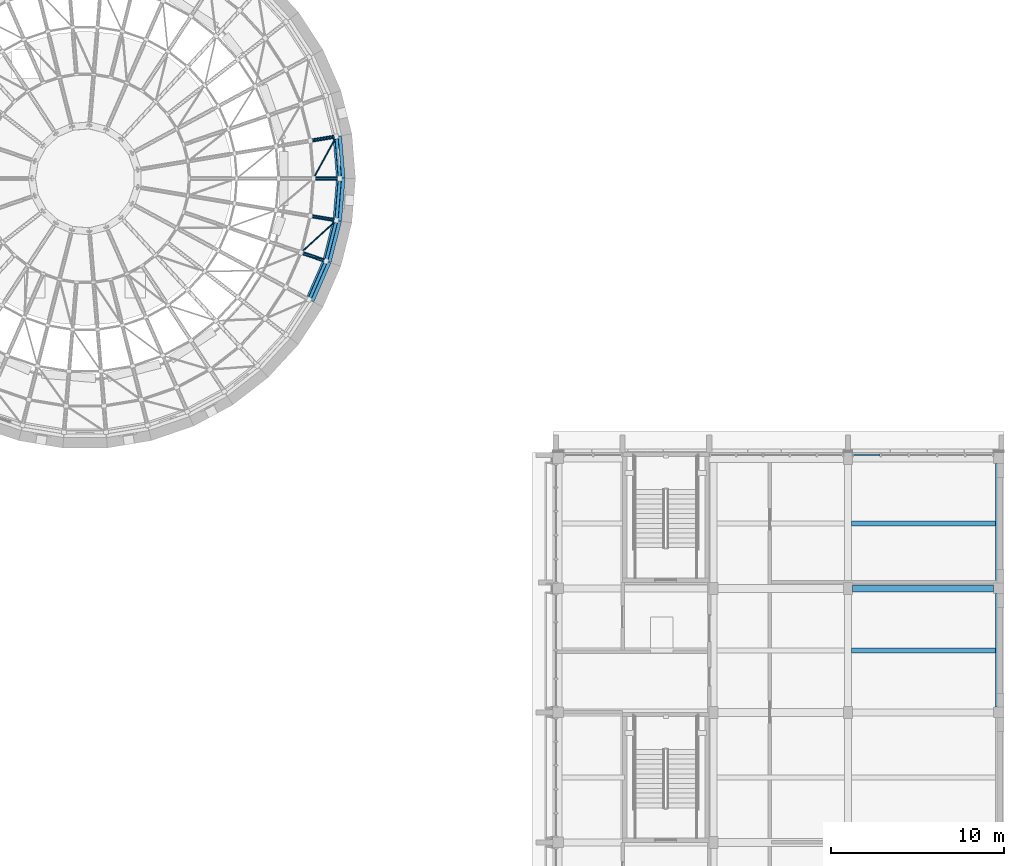
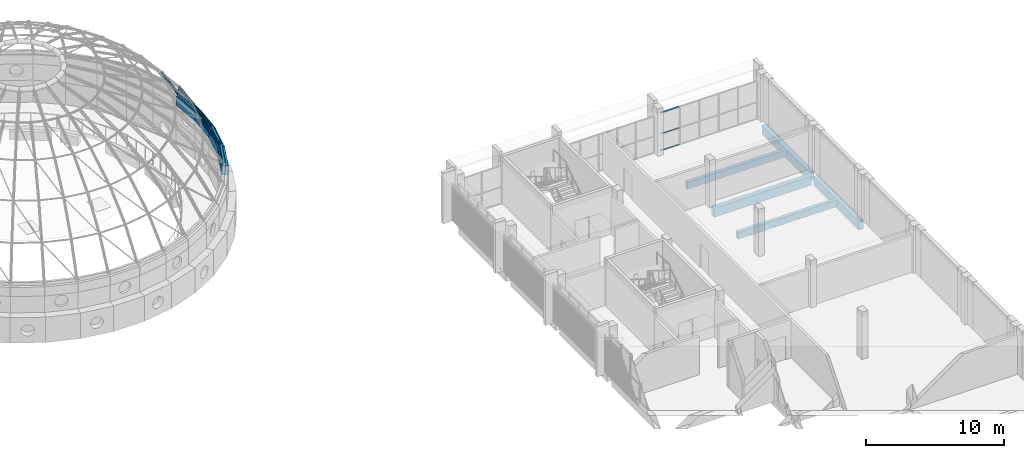
# One storey, part 38 of 98: 13 members, 9 beams, 1 element without a shape of its own.
"""IFC4 building model written with IfcOpenShell, lengths in metres."""

from ifc_helpers import new_model, si_unit, direction, frame, origin, origin_2d, place, context, subcontext, project, spatial, rectangle, hollow_rectangle, hollow_circle, extrude, material, material_profile, profile_set, type_object, element, aggregate, save


model = new_model("IFC4")

# Units and contexts
model_context = context("Model", 3, precision=1e-05, world=origin(), true_north=direction((0.0, 1.0)))
body_context = subcontext(model_context, "Body", "Model", "MODEL_VIEW")
ifc_project = project(units=[si_unit("LENGTHUNIT", "METRE"), si_unit("AREAUNIT", "SQUARE_METRE"), si_unit("VOLUMEUNIT", "CUBIC_METRE"), si_unit("PLANEANGLEUNIT", "RADIAN"), si_unit("MASSUNIT", "GRAM", prefix="KILO")], contexts=[model_context])

# Site, building, storey
site_placement = place(None, origin())
site = spatial("IfcSite", under=ifc_project, at=site_placement, CompositionType="ELEMENT")
building_placement = place(site_placement, origin())
building = spatial("IfcBuilding", under=site, at=building_placement, Name="Sun Court Science Centre", CompositionType="ELEMENT")
storey_placement = place(building_placement, frame((0.0, 0.0, 15.75)))
storey = spatial("IfcBuildingStorey", under=building, at=storey_placement, Name="L03", CompositionType="ELEMENT", Elevation=15.75)

# Curtain wall, members
ifc_material_1 = material(Name="Aluminium EN AW-6063 T6", Category="aluminium")
curtain_wall_type = type_object("IfcCurtainWallType", Name="Laboratory tall bay curtain wall 1500", PredefinedType="NOTDEFINED", material=ifc_material_1)
curtain_wall_placement = place(storey_placement, origin())
curtain_wall = element("IfcCurtainWall", 1, at=curtain_wall_placement, inside=storey, type_object=curtain_wall_type, Name="Curtain wall V4 N L03 03", PredefinedType="NOTDEFINED")
ifc_material_2 = material(Name="Aluminium EN AW-6063 T6", Category="aluminium")
ifc_material_profile_1 = material_profile(ifc_material_2, hollow_rectangle(XDim=0.06005859375, YDim=0.1201171875, WallThickness=0.00390625, InnerFilletRadius=0.00390625, OuterFilletRadius=0.006103515625, at=origin_2d()), Name="AL 60x120x4")
ifc_profile_set_1 = profile_set([ifc_material_profile_1], Name="Aluminium EN AW-6063 T6")
member_type_1 = type_object("IfcMemberType", Name="Curtain wall transom AL 60x120", PredefinedType="USERDEFINED", material=ifc_profile_set_1)
member_1_placement = place(storey_placement, frame((95.31005859375, 80.85009765625, 0.030029296875), z_axis=(1.0, 0.0, 0.0), x_axis=(0.0, 0.0, 1.0)))
member_1 = element("IfcMember", 2, at=member_1_placement, type_object=member_type_1, Name="CW2-72 transom 1.1", ObjectType="TRANSOM", PredefinedType="USERDEFINED", context=body_context, shape_type="SweptSolid", body=[
    extrude(hollow_rectangle(XDim=0.06005859375, YDim=0.1201171875, WallThickness=0.00390625, InnerFilletRadius=0.00390625, OuterFilletRadius=0.006103515625, at=origin_2d()), origin(), (0.0, 0.0, 1.0), 1.5400390625),
])
member_2_placement = place(storey_placement, frame((95.31005859375, 80.85009765625, 1.5), z_axis=(1.0, 0.0, 0.0), x_axis=(0.0, 0.0, 1.0)))
member_2 = element("IfcMember", 3, at=member_2_placement, type_object=member_type_1, Name="CW2-72 transom 1.2", ObjectType="TRANSOM", PredefinedType="USERDEFINED", context=body_context, shape_type="SweptSolid", body=[
    extrude(hollow_rectangle(XDim=0.06005859375, YDim=0.1201171875, WallThickness=0.00390625, InnerFilletRadius=0.00390625, OuterFilletRadius=0.006103515625, at=origin_2d()), origin(), (0.0, 0.0, 1.0), 1.5400390625),
])
member_3_placement = place(storey_placement, frame((95.31005859375, 80.85009765625, 3.3701171875), z_axis=(1.0, 0.0, 0.0), x_axis=(0.0, 0.0, 1.0)))
member_3 = element("IfcMember", 4, at=member_3_placement, type_object=member_type_1, Name="CW2-72 transom 1.3", ObjectType="TRANSOM", PredefinedType="USERDEFINED", context=body_context, shape_type="SweptSolid", body=[
    extrude(hollow_rectangle(XDim=0.06005859375, YDim=0.1201171875, WallThickness=0.00390625, InnerFilletRadius=0.00390625, OuterFilletRadius=0.006103515625, at=origin_2d()), origin(), (0.0, 0.0, 1.0), 1.5400390625),
])
aggregate(curtain_wall, [member_1, member_2, member_3])

# Members
ifc_material_3 = material(Name="Steel S355", Category="steel")
ifc_material_profile_2 = material_profile(ifc_material_3, hollow_circle(Radius=0.04443359375, WallThickness=0.0048828125, at=origin_2d()), Name="CHS 88.9x5")
ifc_profile_set_2 = profile_set([ifc_material_profile_2], Name="Steel S355")
member_type_2 = type_object("IfcMemberType", Name="Dome brace CHS 88.9x5", PredefinedType="BRACE", material=ifc_profile_set_2)
member_4_placement = place(storey_placement, frame((63.458251953125, 92.52294921875, 6.87353515625), z_axis=(0.545605055947, 0.496829687733, -0.674889164465), x_axis=(-0.67328475402, 0.739383283558, 0.0)))
element("IfcMember", 5, at=member_4_placement, inside=storey, type_object=member_type_2, Name="Dome brace 5.36", PredefinedType="BRACE", context=body_context, shape_type="SweptSolid", body=[
    extrude(hollow_circle(Radius=0.04443359375, WallThickness=0.0048828125, at=origin_2d()), origin(), (0.0, 0.0, 1.0), 3.739013671875),
])
member_5_placement = place(storey_placement, frame((64.172119140625, 96.800048828125, 6.87353515625), z_axis=(0.354701149174, 0.647042284089, -0.674924719784), x_axis=(-0.87688581297, 0.480698732067, 0.0)))
element("IfcMember", 6, at=member_5_placement, inside=storey, type_object=member_type_2, Name="Dome brace 5.38", PredefinedType="BRACE", context=body_context, shape_type="SweptSolid", body=[
    extrude(hollow_circle(Radius=0.04443359375, WallThickness=0.0048828125, at=origin_2d()), origin(), (0.0, 0.0, 1.0), 3.73876953125),
])
ifc_material_4 = material(Name="Steel S355", Category="steel")
ifc_material_profile_3 = material_profile(ifc_material_4, hollow_circle(Radius=0.109619140625, WallThickness=0.010009765625, at=origin_2d()), Name="CHS 219.1x10")
ifc_profile_set_3 = profile_set([ifc_material_profile_3], Name="Steel S355")
member_type_3 = type_object("IfcMemberType", Name="Dome rib CHS 219.1x10", PredefinedType="RAFTER", material=ifc_profile_set_3)
member_6_placement = place(storey_placement, frame((65.498291015625, 99.21923828125, 4.35009765625), z_axis=(-0.510579300357, -0.085179328805, 0.855601110326), x_axis=(0.164554580167, -0.986367979076, 0.0)))
element("IfcMember", 7, at=member_6_placement, inside=storey, type_object=member_type_3, Name="Dome rib 1", PredefinedType="RAFTER", context=body_context, shape_type="SweptSolid", body=[
    extrude(hollow_circle(Radius=0.109619140625, WallThickness=0.010009765625, at=origin_2d()), origin(), (0.0, 0.0, 1.0), 2.94921875),
])
member_7_placement = place(storey_placement, frame((64.90234375, 92.02734375, 4.35009765625), z_axis=(-0.489627789527, 0.168037939601, 0.855586277693), x_axis=(-0.324610482801, -0.945847786092, 0.0)))
element("IfcMember", 8, at=member_7_placement, inside=storey, type_object=member_type_3, Name="Dome rib 36", PredefinedType="RAFTER", context=body_context, shape_type="SweptSolid", body=[
    extrude(hollow_circle(Radius=0.109619140625, WallThickness=0.010009765625, at=origin_2d()), origin(), (0.0, 0.0, 1.0), 2.949462890625),
])
for number, where, z_axis, x_axis, name in (
    (9, (65.498291015625, 94.380615234375, 4.35009765625), (-0.510579300357, 0.085179328805, 0.855601110326), (-0.164554580167, -0.986367979076, 0.0), "Dome rib 37"),
    (10, (65.69873046875, 96.800048828125, 4.35009765625), (-0.517620913397, 0.0, 0.855610068906), (0.0, -1.0, 0.0), "Dome rib 38"),
):
    element("IfcMember", number, at=place(storey_placement, frame(where, z_axis=z_axis, x_axis=x_axis)), inside=storey, type_object=member_type_3, Name=name, PredefinedType="RAFTER", context=body_context, shape_type="SweptSolid", body=[
        extrude(hollow_circle(Radius=0.109619140625, WallThickness=0.010009765625, at=origin_2d()), origin(), (0.0, 0.0, 1.0), 2.94921875),
    ])
ifc_material_5 = material(Name="Steel S355", Category="steel")
ifc_material_profile_4 = material_profile(ifc_material_5, hollow_rectangle(XDim=0.199951171875, YDim=0.300048828125, WallThickness=0.012451171875, InnerFilletRadius=0.012451171875, OuterFilletRadius=0.018798828125, at=origin_2d()), Name="RHS 300x200x12.5")
ifc_profile_set_4 = profile_set([ifc_material_profile_4], Name="Steel S355")
member_type_4 = type_object("IfcMemberType", Name="Dome tension ring RHS 300x200x12.5", PredefinedType="MEMBER", material=ifc_profile_set_4)
for number, where, z_axis, x_axis, name in (
    (11, (63.92724609375, 89.80419921875, 4.35009765625), (0.401673332829, 0.91578301671, 0.0), (-0.91578301671, 0.401673332829, 0.0), "Dome tension ring 35"),
    (12, (64.90234375, 92.02734375, 4.35009765625), (0.2454924519, 0.969398502196, 0.0), (-0.969398502196, 0.2454924519, 0.0), "Dome tension ring 36"),
):
    element("IfcMember", number, at=place(storey_placement, frame(where, z_axis=z_axis, x_axis=x_axis)), inside=storey, type_object=member_type_4, Name=name, PredefinedType="MEMBER", context=body_context, shape_type="SweptSolid", body=[
        extrude(hollow_rectangle(XDim=0.199951171875, YDim=0.300048828125, WallThickness=0.012451171875, InnerFilletRadius=0.012451171875, OuterFilletRadius=0.018798828125, at=origin_2d()), origin(), (0.0, 0.0, 1.0), 2.427490234375),
    ])
member_8_placement = place(storey_placement, frame((65.498291015625, 94.380615234375, 4.35009765625), z_axis=(0.082562764545, 0.996585866803, 0.0), x_axis=(-0.996585866803, 0.082562764545, 0.0)))
element("IfcMember", 13, at=member_8_placement, inside=storey, type_object=member_type_4, Name="Dome tension ring 37", PredefinedType="MEMBER", context=body_context, shape_type="SweptSolid", body=[
    extrude(hollow_rectangle(XDim=0.199951171875, YDim=0.300048828125, WallThickness=0.012451171875, InnerFilletRadius=0.012451171875, OuterFilletRadius=0.018798828125, at=origin_2d()), origin(), (0.0, 0.0, 1.0), 2.427734375),
])
member_9_placement = place(storey_placement, frame((65.69873046875, 96.800048828125, 4.35009765625), z_axis=(-0.082571039839, 0.996585181196, 0.0), x_axis=(-0.996585181196, -0.082571039839, 0.0)))
element("IfcMember", 14, at=member_9_placement, inside=storey, type_object=member_type_4, Name="Dome tension ring 38", PredefinedType="MEMBER", context=body_context, shape_type="SweptSolid", body=[
    extrude(hollow_rectangle(XDim=0.199951171875, YDim=0.300048828125, WallThickness=0.012451171875, InnerFilletRadius=0.012451171875, OuterFilletRadius=0.018798828125, at=origin_2d()), origin(), (0.0, 0.0, 1.0), 2.427490234375),
])

# Beams
ifc_material_6 = material(Name="Concrete C25/30", Category="concrete")
ifc_material_profile_5 = material_profile(ifc_material_6, rectangle(XDim=0.39990234375, YDim=0.800048828125, at=origin_2d()), Name="RC 400x800")
ifc_profile_set_5 = profile_set([ifc_material_profile_5], Name="Concrete C25/30")
beam_type_1 = type_object("IfcBeamType", Name="RC girder 400x800", PredefinedType="BEAM", material=ifc_profile_set_5)
beam_1_placement = place(storey_placement, frame((95.25, 73.14990234375, -0.699951171875), z_axis=(1.0, 0.0, 0.0), x_axis=(0.0, 1.0, 0.0)))
element("IfcBeam", 15, at=beam_1_placement, inside=storey, type_object=beam_type_1, Name="Girder L03 row 10", PredefinedType="BEAM", context=body_context, shape_type="SweptSolid", body=[
    extrude(rectangle(XDim=0.39990234375, YDim=0.800048828125, at=origin_2d()), origin(), (0.0, 0.0, 1.0), 8.14990234375),
])
beam_2_placement = place(storey_placement, frame((103.699951171875, 66.300048828125, -0.699951171875), z_axis=(0.0, 1.0, 0.0), x_axis=(-1.0, 0.0, 0.0)))
element("IfcBeam", 16, at=beam_2_placement, inside=storey, type_object=beam_type_1, Name="Girder L03 line 4", PredefinedType="BEAM", context=body_context, shape_type="SweptSolid", body=[
    extrude(rectangle(XDim=0.39990234375, YDim=0.800048828125, at=origin_2d()), origin(), (0.0, 0.0, 1.0), 6.550048828125),
])
beam_3_placement = place(storey_placement, frame((103.699951171875, 73.449951171875, -0.699951171875), z_axis=(0.0, 1.0, 0.0), x_axis=(-1.0, 0.0, 0.0)))
element("IfcBeam", 17, at=beam_3_placement, inside=storey, type_object=beam_type_1, Name="Girder L03 line 4", PredefinedType="BEAM", context=body_context, shape_type="SweptSolid", body=[
    extrude(rectangle(XDim=0.39990234375, YDim=0.800048828125, at=origin_2d()), origin(), (0.0, 0.0, 1.0), 6.900146484375),
])
ifc_material_7 = material(Name="Concrete C25/30", Category="concrete")
ifc_material_profile_6 = material_profile(ifc_material_7, rectangle(XDim=0.5, YDim=0.800048828125, at=origin_2d()), Name="RC 500x800")
ifc_profile_set_6 = profile_set([ifc_material_profile_6], Name="Concrete C25/30")
beam_type_2 = type_object("IfcBeamType", Name="RC girder 500x800", PredefinedType="BEAM", material=ifc_profile_set_6)
for number, where, z_axis, x_axis, name in (
    (18, (63.971435546875, 89.7802734375, 3.800048828125), (0.401707209598, 0.915768157209, 0.0), (-0.915768157209, 0.401707209598, 0.0), "Drum ring beam 35"),
    (19, (64.949951171875, 92.010986328125, 3.800048828125), (0.245553013875, 0.969383163345, 0.0), (-0.969383163345, 0.245553013875, 0.0), "Drum ring beam 36"),
):
    element("IfcBeam", number, at=place(storey_placement, frame(where, z_axis=z_axis, x_axis=x_axis)), inside=storey, type_object=beam_type_2, Name=name, PredefinedType="BEAM", context=body_context, shape_type="SweptSolid", body=[
        extrude(rectangle(XDim=0.5, YDim=0.800048828125, at=origin_2d()), origin(), (0.0, 0.0, 1.0), 2.435791015625),
    ])
beam_4_placement = place(storey_placement, frame((65.548095703125, 94.372314453125, 3.800048828125), z_axis=(0.082481467081, 0.996592598602, 0.0), x_axis=(-0.996592598602, 0.082481467081, 0.0)))
element("IfcBeam", 20, at=beam_4_placement, inside=storey, type_object=beam_type_2, Name="Drum ring beam 37", PredefinedType="BEAM", context=body_context, shape_type="SweptSolid", body=[
    extrude(rectangle(XDim=0.5, YDim=0.800048828125, at=origin_2d()), origin(), (0.0, 0.0, 1.0), 2.43603515625),
])
beam_5_placement = place(storey_placement, frame((65.7490234375, 96.800048828125, 3.800048828125), z_axis=(-0.082489706067, 0.996591916681, 0.0), x_axis=(-0.996591916681, -0.082489706067, 0.0)))
element("IfcBeam", 21, at=beam_5_placement, inside=storey, type_object=beam_type_2, Name="Drum ring beam 38", PredefinedType="BEAM", context=body_context, shape_type="SweptSolid", body=[
    extrude(rectangle(XDim=0.5, YDim=0.800048828125, at=origin_2d()), origin(), (0.0, 0.0, 1.0), 2.435791015625),
])
ifc_material_8 = material(Name="Concrete C25/30", Category="concrete")
ifc_material_profile_7 = material_profile(ifc_material_8, rectangle(XDim=0.300048828125, YDim=0.60009765625, at=origin_2d()), Name="RC 300x600")
ifc_profile_set_7 = profile_set([ifc_material_profile_7], Name="Concrete C25/30")
beam_type_3 = type_object("IfcBeamType", Name="RC joist 300x600", PredefinedType="JOIST", material=ifc_profile_set_7)
for number, where, z_axis, x_axis, name in (
    (22, (95.199951171875, 69.574951171875, -0.60009765625), (1.0, 0.0, 0.0), (0.0, 1.0, 0.0), "Joist L03"),
    (23, (95.199951171875, 76.89990234375, -0.60009765625), (1.0, 0.0, 0.0), (0.0, 1.0, 0.0), "Joist L03"),
):
    element("IfcBeam", number, at=place(storey_placement, frame(where, z_axis=z_axis, x_axis=x_axis)), inside=storey, type_object=beam_type_3, Name=name, PredefinedType="JOIST", context=body_context, shape_type="SweptSolid", body=[
        extrude(rectangle(XDim=0.300048828125, YDim=0.60009765625, at=origin_2d()), origin(), (0.0, 0.0, 1.0), 8.300048828125),
    ])

save(model, "model.ifc")
